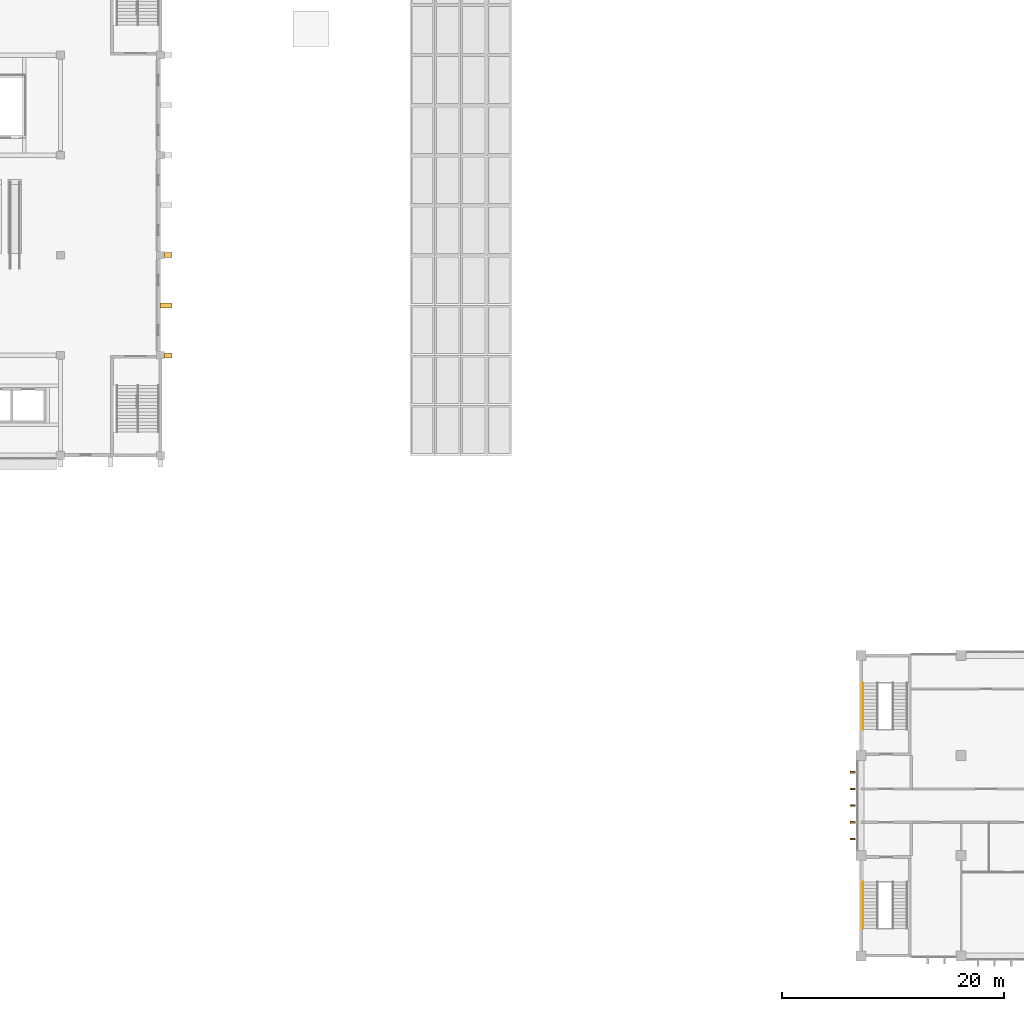
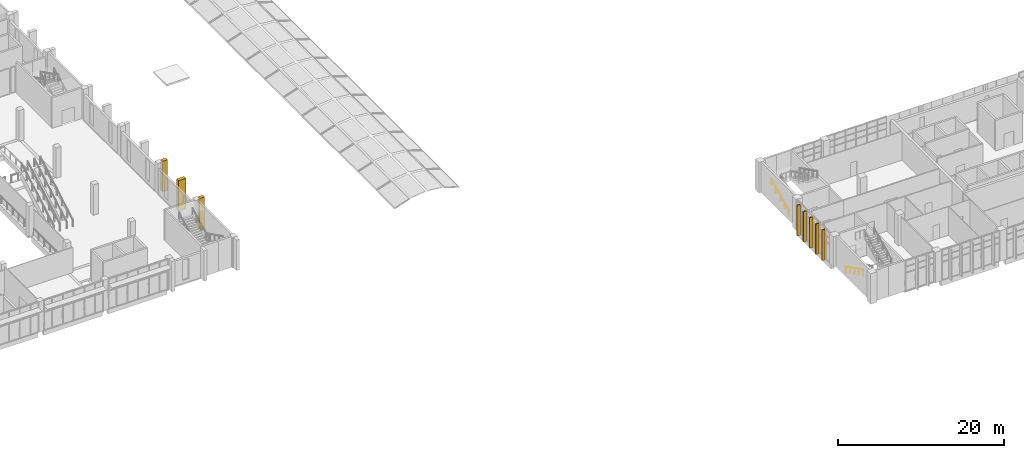
# One storey, part 39 of 45: 5 shading devices, 3 coverings, 2 railings.
"""IFC4 building model written with IfcOpenShell, lengths in metres."""

import ifcopenshell
import ifcopenshell.guid

model = None  # the IFC model being written
_history = None  # IfcOwnerHistory: only IFC2X3 demands one
_inside = {}  # id of a spatial element -> (the spatial element, [elements in it])
_under = {}  # id of a project, library or spatial element -> (it, [spatial elements below it])
_declared = {}  # id of a project -> (the project, [libraries it declares])
_typed = {}  # id of a type object -> (the type object, [elements of that type])
_made_of = {}  # id of a material, layer set ... -> (it, [elements and type objects made of it])


def new_model(schema):
    """Start an empty IFC model of exactly this schema.

    Asked for "IFC4X3", IfcOpenShell would pick the latest addendum, in which some entities
    have other attributes; the version numbers below select the first issue.
    IFC2X3 requires an IfcOwnerHistory on every rooted entity: one is made here for all.
    """
    global model, _history
    if schema == "IFC4X3":
        model = ifcopenshell.file(schema_version=(4, 3, 0, 0))
    else:
        model = ifcopenshell.file(schema=schema)
    _inside.clear()
    _under.clear()
    _declared.clear()
    _typed.clear()
    _made_of.clear()
    _history = None
    if model.schema == "IFC2X3":
        org = make("IfcOrganization", Name="unknown")
        user = make(
            "IfcPersonAndOrganization",
            ThePerson=make("IfcPerson", FamilyName="unknown"),
            TheOrganization=org,
        )
        app = make(
            "IfcApplication",
            ApplicationDeveloper=org,
            Version="unknown",
            ApplicationFullName="unknown",
            ApplicationIdentifier="unknown",
        )
        _history = make(
            "IfcOwnerHistory",
            OwningUser=user,
            OwningApplication=app,
            ChangeAction="ADDED",
            CreationDate=0,
        )
    return model


def make(cls, **values):
    """One entity of the class cls with the attributes given. An attribute that is None is left unset."""
    return model.create_entity(
        cls, **{name: value for name, value in values.items() if value is not None}
    )


def rooted(cls, **values):
    """An entity with a GlobalId (a new one), such as an element, a storey or a relation."""
    return make(cls, GlobalId=ifcopenshell.guid.new(), OwnerHistory=_history, **values)


def si_unit(unit_type, name, prefix=None):
    """IfcSIUnit, for example si_unit("LENGTHUNIT", "METRE", prefix="MILLI")."""
    return make("IfcSIUnit", UnitType=unit_type, Prefix=prefix, Name=name)


def assignment(units):
    """IfcUnitAssignment: the units of a project."""
    return None if units is None else make("IfcUnitAssignment", Units=units)


def point(xyz):
    """IfcCartesianPoint."""
    return None if xyz is None else make("IfcCartesianPoint", Coordinates=xyz)


def direction(xyz):
    """IfcDirection."""
    return None if xyz is None else make("IfcDirection", DirectionRatios=xyz)


def frame(location, z_axis=None, x_axis=None):
    """IfcAxis2Placement3D, a coordinate frame: its origin and axes. An axis left out is left unset."""
    return make(
        "IfcAxis2Placement3D",
        Location=point(location),
        Axis=direction(z_axis),
        RefDirection=direction(x_axis),
    )


def frame_2d(location, x_axis=None):
    """IfcAxis2Placement2D, a coordinate frame in the plane: its origin and x axis."""
    return make(
        "IfcAxis2Placement2D", Location=point(location), RefDirection=direction(x_axis)
    )


def origin():
    """The frame at (0, 0, 0) with its axes left unset."""
    return frame((0.0, 0.0, 0.0))


def origin_2d():
    """The frame at (0, 0) in the plane with its x axis left unset."""
    return frame_2d((0.0, 0.0))


def place(relative_to, where):
    """IfcLocalPlacement: puts the frame where relative to a parent placement (None: the world)."""
    return make(
        "IfcLocalPlacement", PlacementRelTo=relative_to, RelativePlacement=where
    )


def context(
    kind, dimensions, precision=None, world=None, true_north=None, identifier=None
):
    """IfcGeometricRepresentationContext, for example the 3D "Model" context."""
    return make(
        "IfcGeometricRepresentationContext",
        ContextIdentifier=identifier,
        ContextType=kind,
        CoordinateSpaceDimension=dimensions,
        Precision=precision,
        WorldCoordinateSystem=world,
        TrueNorth=true_north,
    )


def subcontext(parent, identifier, kind, view, scale=None):
    """IfcGeometricRepresentationSubContext, for example "Body" below "Model"."""
    return make(
        "IfcGeometricRepresentationSubContext",
        ContextIdentifier=identifier,
        ContextType=kind,
        ParentContext=parent,
        TargetScale=scale,
        TargetView=view,
    )


def project(units=None, contexts=None):
    """IfcProject with its units and contexts."""
    return rooted(
        "IfcProject",
        Name="project",
        RepresentationContexts=contexts,
        UnitsInContext=assignment(units),
    )


def spatial(cls, under=None, at=None, **own):
    """A site, building, storey or space (cls), placed at a placement, below another one or the project."""
    s = rooted(cls, ObjectPlacement=at, **own)
    if under is not None:
        _under.setdefault(under.id(), (under, []))[1].append(s)
    return s


def profile(cls, at=None, kind="AREA", **sizes):
    """A parametric profile (cls). Its sizes go by their IFC names, for example OverallWidth=200.0."""
    return make(cls, ProfileType=kind, Position=at, **sizes)


def rectangle(**sizes):
    """IfcRectangleProfileDef."""
    return profile("IfcRectangleProfileDef", **sizes)


def circle(**sizes):
    """IfcCircleProfileDef."""
    return profile("IfcCircleProfileDef", **sizes)


def extrude(swept, where, along, depth):
    """IfcExtrudedAreaSolid: the profile swept, set in the frame where, extruded along a direction by depth."""
    return make(
        "IfcExtrudedAreaSolid",
        SweptArea=swept,
        Position=where,
        ExtrudedDirection=direction(along),
        Depth=depth,
    )


def shape(context_of_items, identifier, shape_type, items):
    """IfcShapeRepresentation: the items that make up one representation, for example the "Body"."""
    return make(
        "IfcShapeRepresentation",
        ContextOfItems=context_of_items,
        RepresentationIdentifier=identifier,
        RepresentationType=shape_type,
        Items=items,
    )


def material(Name=None, Category=None):
    """IfcMaterial."""
    return make("IfcMaterial", Name=Name, Category=Category)


def layer(
    of_material, thickness, ventilated=None, Name=None, Category=None, Priority=None
):
    """IfcMaterialLayer: one layer of a wall or slab, of a material (None: an air gap)."""
    return make(
        "IfcMaterialLayer",
        Material=of_material,
        LayerThickness=thickness,
        IsVentilated=ventilated,
        Name=Name,
        Category=Category,
        Priority=Priority,
    )


def layer_set(layers, Name=None):
    """IfcMaterialLayerSet."""
    return make("IfcMaterialLayerSet", MaterialLayers=layers, LayerSetName=Name)


def made_of(thing, what):
    """Note that an element or type object is made of a material, layer set ...; save() writes the relation."""
    if what is not None:
        _made_of.setdefault(what.id(), (what, []))[1].append(thing)
    return thing


def type_object(cls, material=None, **own):
    """A type object (cls), such as IfcWallType, which elements share."""
    return made_of(rooted(cls, **own), material)


def element(
    cls,
    number,
    at=None,
    inside=None,
    cuts=None,
    type_object=None,
    material=None,
    context=None,
    identifier="Body",
    shape_type=None,
    held_by="IfcProductDefinitionShape",
    body=None,
    shapes=None,
    **own,
):
    """One element of the class cls, such as IfcWall. Its Tag is "e" and its number.

    at: its placement. inside: the storey or other place that contains it. cuts: it is an
    opening in that element (IfcRelVoidsElement). A single representation is given by context,
    identifier, shape_type and body (its items); several are given by shapes. held_by: the class
    of the entity that holds the representations. save() writes the other relations.
    """
    e = rooted(cls, Tag="e%d" % number, ObjectPlacement=at, **own)
    if body is not None:
        shapes = [shape(context, identifier, shape_type, body)]
    if shapes is not None:
        e.Representation = make(held_by, Representations=shapes)
    if inside is not None:
        _inside.setdefault(inside.id(), (inside, []))[1].append(e)
    if cuts is not None:
        rooted(
            "IfcRelVoidsElement", RelatingBuildingElement=cuts, RelatedOpeningElement=e
        )
    if type_object is not None:
        _typed.setdefault(type_object.id(), (type_object, []))[1].append(e)
    return made_of(e, material)


def aggregate(whole, parts):
    """IfcRelAggregates: a whole, such as a stair, and the parts it consists of."""
    return rooted("IfcRelAggregates", RelatingObject=whole, RelatedObjects=parts)


def save(model, path):
    """Write the relations noted so far, then the file.

    IfcRelAggregates (storeys below a building ...), IfcRelContainedInSpatialStructure (elements
    in a storey), IfcRelDefinesByType, IfcRelAssociatesMaterial and IfcRelDeclares: one each for
    every whole, place, type object, material and project.
    """
    for whole, parts in _under.values():
        aggregate(whole, parts)
    for where, things in _inside.values():
        rooted(
            "IfcRelContainedInSpatialStructure",
            RelatedElements=things,
            RelatingStructure=where,
        )
    for kind, things in _typed.values():
        rooted("IfcRelDefinesByType", RelatedObjects=things, RelatingType=kind)
    for what, things in _made_of.values():
        rooted("IfcRelAssociatesMaterial", RelatedObjects=things, RelatingMaterial=what)
    for by, libraries in _declared.values():
        rooted("IfcRelDeclares", RelatingContext=by, RelatedDefinitions=libraries)
    model.write(path)


model = new_model("IFC4")

# Units and contexts
model_context = context("Model", 3, precision=1e-05, world=origin(), true_north=direction((0.0, 1.0)))
body_context = subcontext(model_context, "Body", "Model", "MODEL_VIEW")
ifc_project = project(units=[si_unit("LENGTHUNIT", "METRE"), si_unit("AREAUNIT", "SQUARE_METRE"), si_unit("VOLUMEUNIT", "CUBIC_METRE"), si_unit("PLANEANGLEUNIT", "RADIAN"), si_unit("MASSUNIT", "GRAM", prefix="KILO")], contexts=[model_context])

# Site, building, storey
site_placement = place(None, origin())
site = spatial("IfcSite", under=ifc_project, at=site_placement, CompositionType="ELEMENT")
building_placement = place(site_placement, origin())
building = spatial("IfcBuilding", under=site, at=building_placement, Name="Guidao Yard Department Store", CompositionType="ELEMENT")
storey_placement = place(building_placement, frame((0.0, 0.0, 19.5)))
storey = spatial("IfcBuildingStorey", under=building, at=storey_placement, Name="L04", CompositionType="ELEMENT", Elevation=19.5)

# Railings
ifc_material_1 = material(Name="Steel Q235", Category="steel")
railing_type = type_object("IfcRailingType", Name="Handrail steel tube 48", PredefinedType="HANDRAIL", material=ifc_material_1)
railing_1_placement = place(storey_placement, frame((126.18505859375, 6.64990234375, 0.14990234375)))
element("IfcRailing", 1, at=railing_1_placement, inside=storey, type_object=railing_type, Name="Stair O1 hand rail L04 33", PredefinedType="HANDRAIL", context=body_context, shape_type="SweptSolid", body=[
    extrude(circle(Radius=0.02392578125, at=origin_2d()), frame((0.0, 0.0, 0.8759765625), z_axis=(0.0, -0.894416792377, 0.447234392142), x_axis=(1.0, 0.0, 0.0)), (0.0, 0.0, 1.0), 4.69580078125),
    extrude(circle(Radius=0.02099609375, at=origin_2d()), origin(), (0.0, 0.0, 1.0), 0.851806640625),
    extrude(circle(Radius=0.02099609375, at=origin_2d()), frame((0.0, -1.050048828125, 0.52490234375)), (0.0, 0.0, 1.0), 0.851806640625),
    extrude(circle(Radius=0.02099609375, at=origin_2d()), frame((0.0, -2.10009765625, 1.050048828125)), (0.0, 0.0, 1.0), 0.851806640625),
    extrude(circle(Radius=0.02099609375, at=origin_2d()), frame((0.0, -3.14990234375, 1.5751953125)), (0.0, 0.0, 1.0), 0.851806640625),
    extrude(circle(Radius=0.02099609375, at=origin_2d()), frame((0.0, -4.199951171875, 2.10009765625)), (0.0, 0.0, 1.0), 0.851806640625),
])
railing_2_placement = place(storey_placement, frame((126.18505859375, 20.35009765625, 0.14990234375)))
element("IfcRailing", 2, at=railing_2_placement, inside=storey, type_object=railing_type, Name="Stair O3 hand rail L04 41", PredefinedType="HANDRAIL", context=body_context, shape_type="SweptSolid", body=[
    extrude(circle(Radius=0.02392578125, at=origin_2d()), frame((0.0, 0.0, 0.8759765625), z_axis=(0.0, 0.894416792377, 0.447234392142), x_axis=(-1.0, 0.0, 0.0)), (0.0, 0.0, 1.0), 4.69580078125),
    extrude(circle(Radius=0.02099609375, at=origin_2d()), origin(), (0.0, 0.0, 1.0), 0.851806640625),
    extrude(circle(Radius=0.02099609375, at=origin_2d()), frame((0.0, 1.050048828125, 0.52490234375)), (0.0, 0.0, 1.0), 0.851806640625),
    extrude(circle(Radius=0.02099609375, at=origin_2d()), frame((0.0, 2.10009765625, 1.050048828125)), (0.0, 0.0, 1.0), 0.851806640625),
    extrude(circle(Radius=0.02099609375, at=origin_2d()), frame((0.0, 3.14990234375, 1.5751953125)), (0.0, 0.0, 1.0), 0.851806640625),
    extrude(circle(Radius=0.02099609375, at=origin_2d()), frame((0.0, 4.199951171875, 2.10009765625)), (0.0, 0.0, 1.0), 0.851806640625),
])

# Coverings
ifc_material_2 = material(Name="Precast concrete C40/50", Category="concrete")
ifc_layer = layer(ifc_material_2, 0.449951171875)
ifc_layer_set = layer_set([ifc_layer], Name="Precast fin FN1 board-formed concrete")
covering_type = type_object("IfcCoveringType", Name="Precast fin FN1 board-formed concrete", PredefinedType="CLADDING", material=ifc_layer_set)
covering_1_placement = place(storey_placement, frame((63.699951171875, 54.0, 0.0), z_axis=(0.0, 0.0, 1.0), x_axis=(0.0, -1.0, 0.0)))
element("IfcCovering", 3, at=covering_1_placement, inside=storey, type_object=covering_type, Name="Precast fin", PredefinedType="CLADDING", context=body_context, shape_type="SweptSolid", body=[
    extrude(rectangle(XDim=0.449951171875, YDim=0.699951171875, at=origin_2d()), origin(), (0.0, 0.0, 1.0), 4.5),
])
covering_2_placement = place(storey_placement, frame((63.52490234375, 58.5, 0.0), z_axis=(0.0, 0.0, 1.0), x_axis=(0.0, -1.0, 0.0)))
element("IfcCovering", 4, at=covering_2_placement, inside=storey, type_object=covering_type, Name="Precast fin", PredefinedType="CLADDING", context=body_context, shape_type="SweptSolid", body=[
    extrude(rectangle(XDim=0.449951171875, YDim=1.050048828125, at=origin_2d()), origin(), (0.0, 0.0, 1.0), 4.5),
])
covering_3_placement = place(storey_placement, frame((63.699951171875, 63.0, 0.0), z_axis=(0.0, 0.0, 1.0), x_axis=(0.0, -1.0, 0.0)))
element("IfcCovering", 5, at=covering_3_placement, inside=storey, type_object=covering_type, Name="Precast fin", PredefinedType="CLADDING", context=body_context, shape_type="SweptSolid", body=[
    extrude(rectangle(XDim=0.449951171875, YDim=0.699951171875, at=origin_2d()), origin(), (0.0, 0.0, 1.0), 4.5),
])

# Shading devices
ifc_material_3 = material(Name="Aluminium 6063-T5", Category="aluminium")
shading_device_type = type_object("IfcShadingDeviceType", Name="Vertical fin FN2 aluminium 150 x 450", PredefinedType="SHUTTER", material=ifc_material_3)
for number, where, z_axis, x_axis, name in (
    (6, (125.264892578125, 10.5, 0.0), (0.0, 0.0, 1.0), (0.0, 1.0, 0.0), "Vertical fin"),
    (7, (125.264892578125, 12.0, 0.0), (0.0, 0.0, 1.0), (0.0, 1.0, 0.0), "Vertical fin"),
    (8, (125.264892578125, 13.5, 0.0), (0.0, 0.0, 1.0), (0.0, 1.0, 0.0), "Vertical fin"),
    (9, (125.264892578125, 15.0, 0.0), (0.0, 0.0, 1.0), (0.0, 1.0, 0.0), "Vertical fin"),
    (10, (125.264892578125, 16.5, 0.0), (0.0, 0.0, 1.0), (0.0, 1.0, 0.0), "Vertical fin"),
):
    element("IfcShadingDevice", number, at=place(storey_placement, frame(where, z_axis=z_axis, x_axis=x_axis)), inside=storey, type_object=shading_device_type, Name=name, PredefinedType="SHUTTER", context=body_context, shape_type="SweptSolid", body=[
        extrude(rectangle(XDim=0.14990234375, YDim=0.449951171875, at=origin_2d()), origin(), (0.0, 0.0, 1.0), 4.5),
    ])

save(model, "model.ifc")
